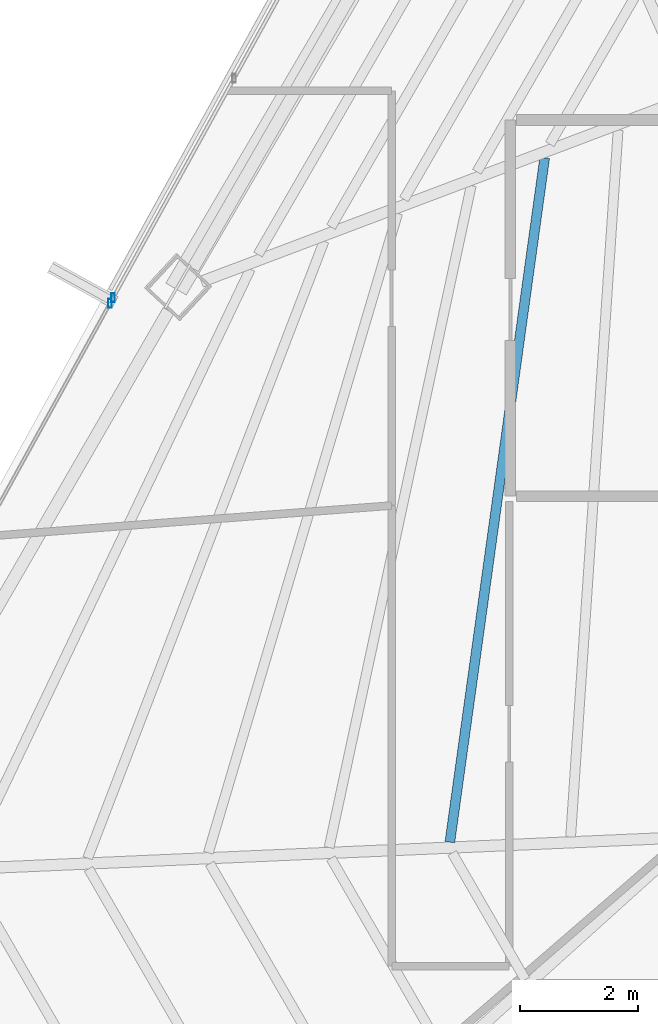
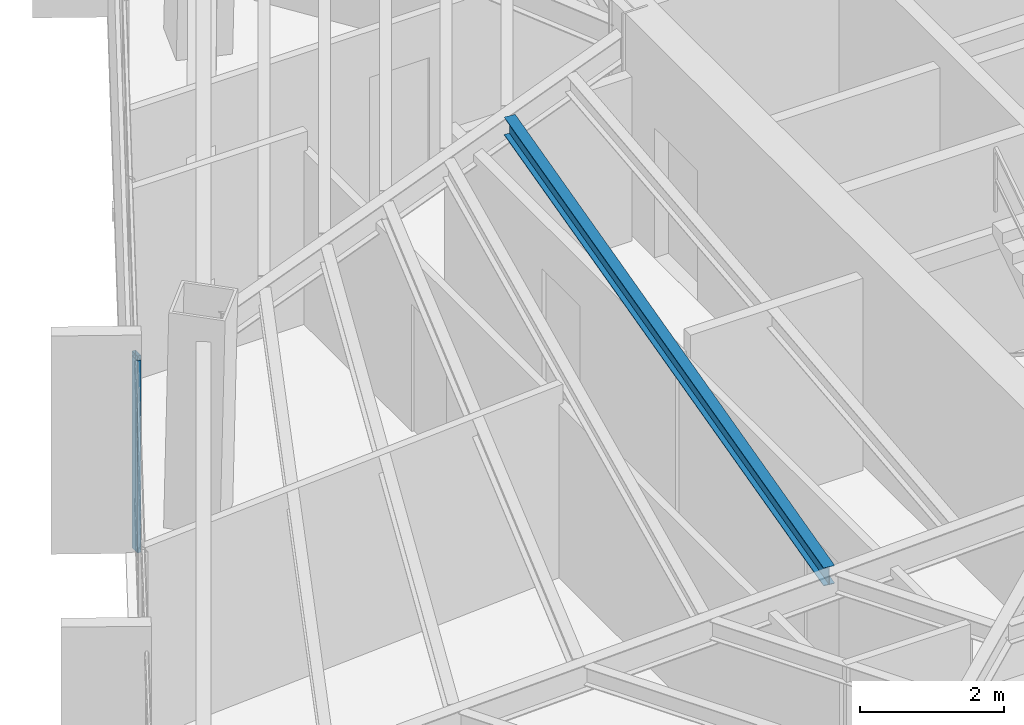
# One storey, part 12 of 40: 2 members, 1 beam, 2 elements without a shape of their own.
"""IFC4 building model written with IfcOpenShell, lengths in metres."""

from ifc_helpers import new_model, si_unit, direction, frame, origin, origin_2d, place, context, subcontext, project, spatial, hollow_rectangle, i_section, extrude, source, transform, mapped, material, material_profile, profile_set, type_object, type_shapes, element, aggregate, save


model = new_model("IFC4")

# Units and contexts
model_context = context("Model", 3, precision=1e-05, world=origin(), true_north=direction((0.0, 1.0)))
body_context = subcontext(model_context, "Body", "Model", "MODEL_VIEW")
ifc_project = project(units=[si_unit("LENGTHUNIT", "METRE"), si_unit("AREAUNIT", "SQUARE_METRE"), si_unit("VOLUMEUNIT", "CUBIC_METRE"), si_unit("PLANEANGLEUNIT", "RADIAN"), si_unit("MASSUNIT", "GRAM", prefix="KILO")], contexts=[model_context])

# Site, building, storey
site_placement = place(None, origin())
site = spatial("IfcSite", under=ifc_project, at=site_placement, CompositionType="ELEMENT")
building_placement = place(site_placement, origin())
building = spatial("IfcBuilding", under=site, at=building_placement, Name="Caelisora Broadcast Tower", CompositionType="ELEMENT")
storey_placement = place(building_placement, frame((0.0, 0.0, 216.89990234375)))
storey = spatial("IfcBuildingStorey", under=building, at=storey_placement, Name="L57", CompositionType="ELEMENT", Elevation=216.89990234375)

# Beam
ifc_material_1 = material(Name="Steel Grade 350 (AS/NZS 3679.1)", Category="steel")
ifc_material_profile_1 = material_profile(ifc_material_1, i_section(OverallWidth=0.166015625, OverallDepth=0.30712890625, WebThickness=0.006591796875, FlangeThickness=0.01171875, at=origin_2d()), Name="Steel Grade 350 (AS/NZS 3679.1)")
ifc_profile_set_1 = profile_set([ifc_material_profile_1], Name="Steel Grade 350 (AS/NZS 3679.1)")
beam_type = type_object("IfcBeamType", Name="SB03", PredefinedType="JOIST", material=ifc_profile_set_1)
shared_shape_1 = source(origin(), body_context, "Body", "SweptSolid", [
    extrude(i_section(OverallWidth=0.166015625, OverallDepth=0.30712890625, WebThickness=0.006591796875, FlangeThickness=0.01171875, at=origin_2d()), origin(), (0.0, 0.0, 1.0), 11.755615234375),
])
type_shapes(beam_type, [shared_shape_1])
beam_placement = place(storey_placement, frame((28.002685546875, 28.95654296875, 3.096435546875), z_axis=(-0.137256512488, -0.990535536859, 0.0), x_axis=(0.990535536859, -0.137256512488, 0.0)))
element("IfcBeam", 1, at=beam_placement, inside=storey, type_object=beam_type, Name="L57 beam SB03", PredefinedType="JOIST", context=body_context, shape_type="MappedRepresentation", body=[
    mapped(shared_shape_1, transform((0.0, 0.0, 0.0), scale=1.0)),
])

# Curtain wall, member
ifc_material_2 = material(Name="Unitised Aluminium and Low-E Glass Curtain Wall", Category="glass")
curtain_wall_type_1 = type_object("IfcCurtainWallType", Name="CW-Z4", PredefinedType="NOTDEFINED", material=ifc_material_2)
curtain_wall_1_placement = place(storey_placement, origin())
curtain_wall_1 = element("IfcCurtainWall", 2, at=curtain_wall_1_placement, inside=storey, type_object=curtain_wall_type_1, Name="L57 curtain wall CW-Z4", PredefinedType="NOTDEFINED")
ifc_material_3 = material(Name="Aluminium 6063-T6 Anodised Terracotta Bronze", Category="aluminium")
ifc_material_profile_2 = material_profile(ifc_material_3, hollow_rectangle(XDim=0.06005859375, YDim=0.14990234375, WallThickness=0.00341796875, at=origin_2d()), Name="Aluminium 6063-T6 Anodised Terracotta Bronze")
ifc_profile_set_2 = profile_set([ifc_material_profile_2], Name="Aluminium 6063-T6 Anodised Terracotta Bronze")
member_type = type_object("IfcMemberType", Name="CWM-03", PredefinedType="MULLION", material=ifc_profile_set_2)
shared_shape_2 = source(origin(), body_context, "Body", "SweptSolid", [
    extrude(hollow_rectangle(XDim=0.06005859375, YDim=0.14990234375, WallThickness=0.00341796875, at=origin_2d()), origin(), (0.0, 0.0, 1.0), 3.25),
])
type_shapes(member_type, [shared_shape_2])
member_1_placement = place(storey_placement, frame((20.60693359375, 26.4794921875, 0.0), z_axis=(0.0, 0.0, 1.0), x_axis=(1.0, 0.0, 0.0)))
member_1 = element("IfcMember", 3, at=member_1_placement, type_object=member_type, Name="L57-CW-B09 mullion #3", PredefinedType="MULLION", context=body_context, shape_type="MappedRepresentation", body=[
    mapped(shared_shape_2, transform((0.0, 0.0, 0.0), scale=1.0)),
])
aggregate(curtain_wall_1, [member_1])

ifc_material_4 = material(Name="Unitised Aluminium Insulated Shadow-Box Spandrel Curtain Wall", Category="aluminium")
curtain_wall_type_2 = type_object("IfcCurtainWallType", Name="CW-SP2", PredefinedType="NOTDEFINED", material=ifc_material_4)
curtain_wall_2_placement = place(storey_placement, origin())
curtain_wall_2 = element("IfcCurtainWall", 4, at=curtain_wall_2_placement, inside=storey, type_object=curtain_wall_type_2, Name="L57 curtain wall CW-SP2", PredefinedType="NOTDEFINED")
member_2_placement = place(storey_placement, frame((20.66015625, 26.575927734375, 0.0), z_axis=(0.0, 0.0, 1.0), x_axis=(1.0, 0.0, 0.0)))
member_2 = element("IfcMember", 5, at=member_2_placement, type_object=member_type, Name="L57-CW-B10 mullion #0", PredefinedType="MULLION", context=body_context, shape_type="MappedRepresentation", body=[
    mapped(shared_shape_2, transform((0.0, 0.0, 0.0), scale=1.0)),
])
aggregate(curtain_wall_2, [member_2])

save(model, "model.ifc")
